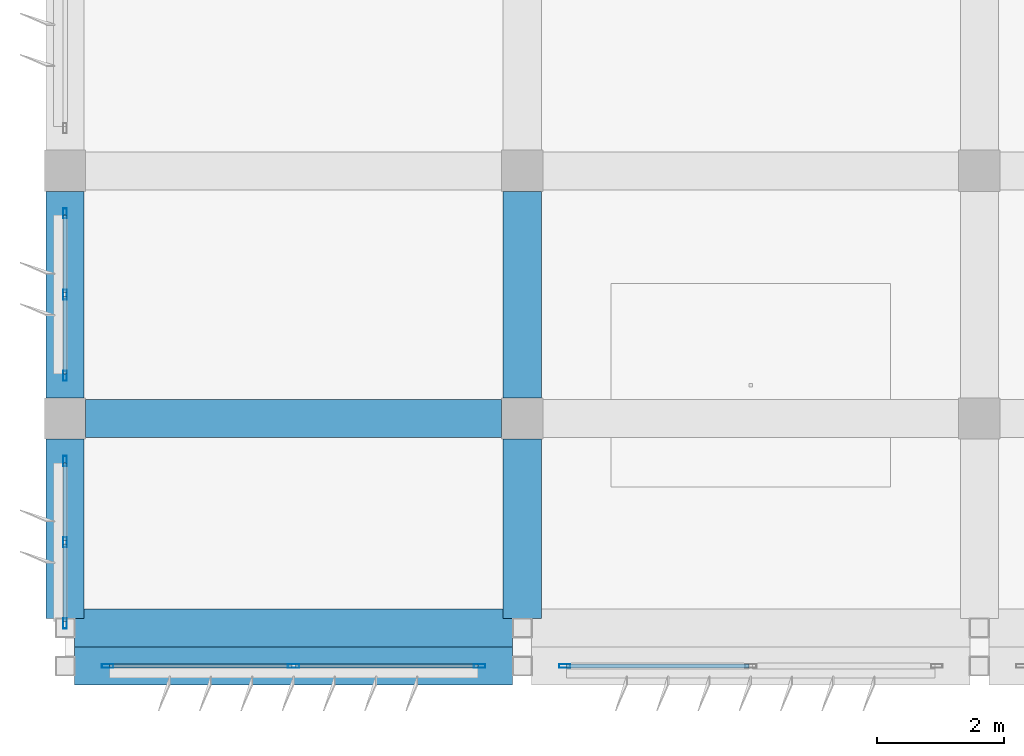
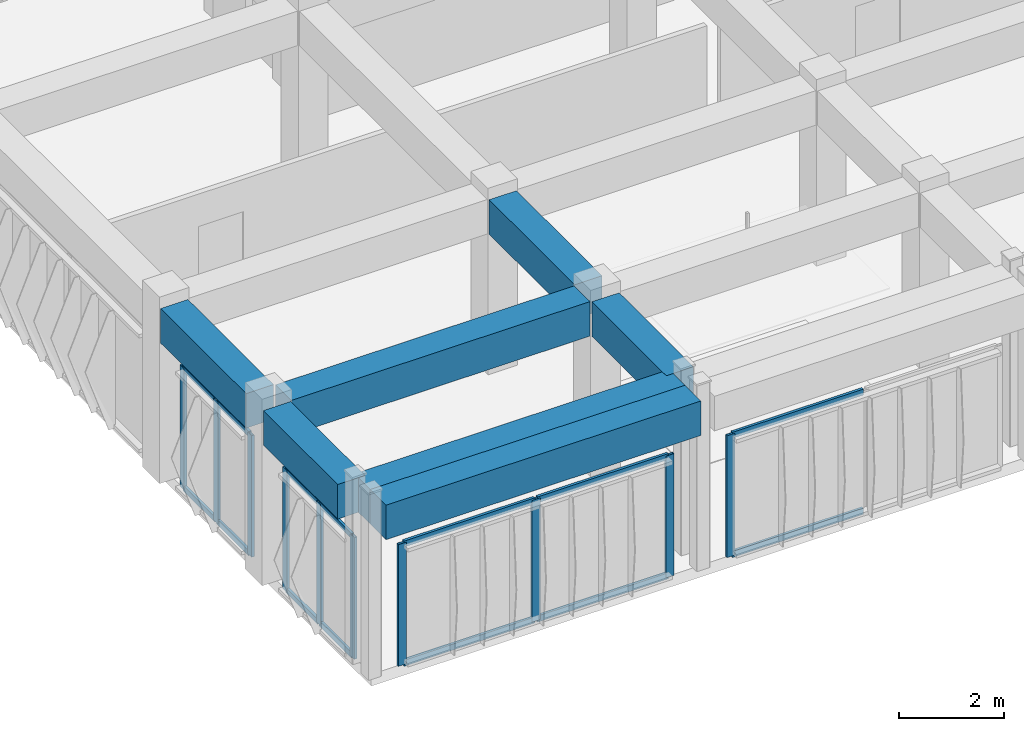
# One storey, part 3 of 42: 24 members, 7 beams, 4 elements without a shape of their own.
"""IFC4 building model written with IfcOpenShell, lengths in metres."""

from ifc_helpers import new_model, si_unit, direction, frame, origin, origin_2d, place, context, subcontext, project, spatial, rectangle, hollow_rectangle, extrude, material, material_profile, profile_set, type_object, element, aggregate, save


model = new_model("IFC4")

# Units and contexts
model_context = context("Model", 3, precision=1e-05, world=origin(), true_north=direction((0.0, 1.0)))
body_context = subcontext(model_context, "Body", "Model", "MODEL_VIEW")
ifc_project = project(units=[si_unit("LENGTHUNIT", "METRE"), si_unit("AREAUNIT", "SQUARE_METRE"), si_unit("VOLUMEUNIT", "CUBIC_METRE"), si_unit("PLANEANGLEUNIT", "RADIAN"), si_unit("MASSUNIT", "GRAM", prefix="KILO")], contexts=[model_context])

# Site, building, storey
site_placement = place(None, origin())
site = spatial("IfcSite", under=ifc_project, at=site_placement, CompositionType="ELEMENT")
building_placement = place(site_placement, origin())
building = spatial("IfcBuilding", under=site, at=building_placement, Name="Kazehaya Institute of Natural Sciences", CompositionType="ELEMENT")
storey_placement = place(building_placement, frame((0.0, 0.0, 37.6201171875)))
storey = spatial("IfcBuildingStorey", under=building, at=storey_placement, Name="L08", CompositionType="ELEMENT", Elevation=37.6201171875)

# Beams
ifc_material_1 = material(Name="Concrete Fc36", Category="concrete")
ifc_material_profile_1 = material_profile(ifc_material_1, rectangle(XDim=0.60009765625, YDim=0.800048828125, at=origin_2d()), Name="RC-600x800")
ifc_profile_set_1 = profile_set([ifc_material_profile_1], Name="Concrete Fc36")
beam_type = type_object("IfcBeamType", Name="BM-G-600x800", PredefinedType="BEAM", material=ifc_profile_set_1)
for number, where, z_axis, x_axis, name in (
    (1, (54.75, 6.199951171875, 3.64990234375), (1.0, 0.0, 0.0), (0.0, 1.0, 0.0), "L08 primary X girder BMX-L08-546-62"),
    (2, (54.75, 6.800048828125, 3.64990234375), (1.0, 0.0, 0.0), (0.0, 1.0, 0.0), "L08 primary X girder BMX-L08-546-68"),
):
    element("IfcBeam", number, at=place(storey_placement, frame(where, z_axis=z_axis, x_axis=x_axis)), inside=storey, type_object=beam_type, Name=name, PredefinedType="BEAM", context=body_context, shape_type="SweptSolid", body=[
        extrude(rectangle(XDim=0.60009765625, YDim=0.800048828125, at=origin_2d()), origin(), (0.0, 0.0, 1.0), 6.89990234375),
    ])
beam_1_placement = place(storey_placement, frame((54.925048828125, 10.10009765625, 3.64990234375), z_axis=(1.0, 0.0, 0.0), x_axis=(0.0, 1.0, 0.0)))
element("IfcBeam", 3, at=beam_1_placement, inside=storey, type_object=beam_type, Name="L08 primary X girder BMX-L08-546-101", PredefinedType="BEAM", context=body_context, shape_type="SweptSolid", body=[
    extrude(rectangle(XDim=0.60009765625, YDim=0.800048828125, at=origin_2d()), origin(), (0.0, 0.0, 1.0), 6.550048828125),
])
beam_2_placement = place(storey_placement, frame((54.60009765625, 6.949951171875, 3.64990234375), z_axis=(0.0, 1.0, 0.0), x_axis=(-1.0, 0.0, 0.0)))
element("IfcBeam", 4, at=beam_2_placement, inside=storey, type_object=beam_type, Name="L08 primary Y girder BMY-L08-546-68", PredefinedType="BEAM", context=body_context, shape_type="SweptSolid", body=[
    extrude(rectangle(XDim=0.60009765625, YDim=0.800048828125, at=origin_2d()), origin(), (0.0, 0.0, 1.0), 2.824951171875),
])
beam_3_placement = place(storey_placement, frame((54.60009765625, 10.425048828125, 3.64990234375), z_axis=(0.0, 1.0, 0.0), x_axis=(-1.0, 0.0, 0.0)))
element("IfcBeam", 5, at=beam_3_placement, inside=storey, type_object=beam_type, Name="L08 primary Y girder BMY-L08-546-101", PredefinedType="BEAM", context=body_context, shape_type="SweptSolid", body=[
    extrude(rectangle(XDim=0.60009765625, YDim=0.800048828125, at=origin_2d()), origin(), (0.0, 0.0, 1.0), 3.25),
])
beam_4_placement = place(storey_placement, frame((61.800048828125, 6.949951171875, 3.64990234375), z_axis=(0.0, 1.0, 0.0), x_axis=(-1.0, 0.0, 0.0)))
element("IfcBeam", 6, at=beam_4_placement, inside=storey, type_object=beam_type, Name="L08 primary Y girder BMY-L08-618-68", PredefinedType="BEAM", context=body_context, shape_type="SweptSolid", body=[
    extrude(rectangle(XDim=0.60009765625, YDim=0.800048828125, at=origin_2d()), origin(), (0.0, 0.0, 1.0), 2.824951171875),
])
beam_5_placement = place(storey_placement, frame((61.800048828125, 10.425048828125, 3.64990234375), z_axis=(0.0, 1.0, 0.0), x_axis=(-1.0, 0.0, 0.0)))
element("IfcBeam", 7, at=beam_5_placement, inside=storey, type_object=beam_type, Name="L08 primary Y girder BMY-L08-618-101", PredefinedType="BEAM", context=body_context, shape_type="SweptSolid", body=[
    extrude(rectangle(XDim=0.60009765625, YDim=0.800048828125, at=origin_2d()), origin(), (0.0, 0.0, 1.0), 3.25),
])

# Curtain wall, members
ifc_material_2 = material(Name="Aluminium alloy A6063S-T5", Category="aluminium")
curtain_wall_type_1 = type_object("IfcCurtainWallType", Name="CW-SYS-09", PredefinedType="NOTDEFINED", material=ifc_material_2)
curtain_wall_1_placement = place(storey_placement, origin())
curtain_wall_1 = element("IfcCurtainWall", 8, at=curtain_wall_1_placement, inside=storey, type_object=curtain_wall_type_1, Name="L08 unitised curtain wall CW-L08-193", PredefinedType="NOTDEFINED")
ifc_material_profile_2 = material_profile(ifc_material_2, hollow_rectangle(XDim=0.06005859375, YDim=0.159912109375, WallThickness=0.00390625, at=origin_2d()), Name="ALU-60x160x4")
ifc_profile_set_2 = profile_set([ifc_material_profile_2], Name="Aluminium alloy A6063S-T5")
member_type_1 = type_object("IfcMemberType", Name="CWM-160", PredefinedType="MULLION", material=ifc_profile_set_2)
member_1_placement = place(storey_placement, frame((54.60009765625, 6.8701171875, 0.0), z_axis=(0.0, 0.0, 1.0), x_axis=(-1.0, 0.0, 0.0)))
member_1 = element("IfcMember", 9, at=member_1_placement, type_object=member_type_1, Name="CW09 mullion 1", PredefinedType="MULLION", context=body_context, shape_type="SweptSolid", body=[
    extrude(hollow_rectangle(XDim=0.06005859375, YDim=0.159912109375, WallThickness=0.00390625, at=origin_2d()), origin(), (0.0, 0.0, 1.0), 2.81982421875),
])
member_2_placement = place(storey_placement, frame((54.60009765625, 8.14990234375, 0.0), z_axis=(0.0, 0.0, 1.0), x_axis=(-1.0, 0.0, 0.0)))
member_2 = element("IfcMember", 10, at=member_2_placement, type_object=member_type_1, Name="CW09 mullion 2", PredefinedType="MULLION", context=body_context, shape_type="SweptSolid", body=[
    extrude(hollow_rectangle(XDim=0.06005859375, YDim=0.159912109375, WallThickness=0.00390625, at=origin_2d()), origin(), (0.0, 0.0, 1.0), 2.81982421875),
])
member_3_placement = place(storey_placement, frame((54.60009765625, 9.429931640625, 0.0), z_axis=(0.0, 0.0, 1.0), x_axis=(-1.0, 0.0, 0.0)))
member_3 = element("IfcMember", 11, at=member_3_placement, type_object=member_type_1, Name="CW09 mullion 3", PredefinedType="MULLION", context=body_context, shape_type="SweptSolid", body=[
    extrude(hollow_rectangle(XDim=0.06005859375, YDim=0.159912109375, WallThickness=0.00390625, at=origin_2d()), origin(), (0.0, 0.0, 1.0), 2.81982421875),
])

curtain_wall_2_placement = place(storey_placement, origin())
curtain_wall_2 = element("IfcCurtainWall", 12, at=curtain_wall_2_placement, inside=storey, type_object=curtain_wall_type_1, Name="L08 unitised curtain wall CW-L08-195", PredefinedType="NOTDEFINED")
member_4_placement = place(storey_placement, frame((54.60009765625, 10.77001953125, 0.0), z_axis=(0.0, 0.0, 1.0), x_axis=(-1.0, 0.0, 0.0)))
member_4 = element("IfcMember", 13, at=member_4_placement, type_object=member_type_1, Name="CW09 mullion 1", PredefinedType="MULLION", context=body_context, shape_type="SweptSolid", body=[
    extrude(hollow_rectangle(XDim=0.06005859375, YDim=0.159912109375, WallThickness=0.00390625, at=origin_2d()), origin(), (0.0, 0.0, 1.0), 2.81982421875),
])
member_5_placement = place(storey_placement, frame((54.60009765625, 12.050048828125, 0.0), z_axis=(0.0, 0.0, 1.0), x_axis=(-1.0, 0.0, 0.0)))
member_5 = element("IfcMember", 14, at=member_5_placement, type_object=member_type_1, Name="CW09 mullion 2", PredefinedType="MULLION", context=body_context, shape_type="SweptSolid", body=[
    extrude(hollow_rectangle(XDim=0.06005859375, YDim=0.159912109375, WallThickness=0.00390625, at=origin_2d()), origin(), (0.0, 0.0, 1.0), 2.81982421875),
])
member_6_placement = place(storey_placement, frame((54.60009765625, 13.330078125, 0.0), z_axis=(0.0, 0.0, 1.0), x_axis=(-1.0, 0.0, 0.0)))
member_6 = element("IfcMember", 15, at=member_6_placement, type_object=member_type_1, Name="CW09 mullion 3", PredefinedType="MULLION", context=body_context, shape_type="SweptSolid", body=[
    extrude(hollow_rectangle(XDim=0.06005859375, YDim=0.159912109375, WallThickness=0.00390625, at=origin_2d()), origin(), (0.0, 0.0, 1.0), 2.81982421875),
])

# Curtain wall, member
curtain_wall_type_2 = type_object("IfcCurtainWallType", Name="CW-SYS-05", PredefinedType="NOTDEFINED", material=ifc_material_2)
curtain_wall_3_placement = place(storey_placement, origin())
curtain_wall_3 = element("IfcCurtainWall", 16, at=curtain_wall_3_placement, inside=storey, type_object=curtain_wall_type_2, Name="L08 unitised curtain wall CW-L08-183", PredefinedType="NOTDEFINED")
ifc_material_profile_3 = material_profile(ifc_material_2, hollow_rectangle(XDim=0.06005859375, YDim=0.179931640625, WallThickness=0.00390625, at=origin_2d()), Name="ALU-60x180x4")
ifc_profile_set_3 = profile_set([ifc_material_profile_3], Name="Aluminium alloy A6063S-T5")
member_type_2 = type_object("IfcMemberType", Name="CWM-180", PredefinedType="MULLION", material=ifc_profile_set_3)
member_7_placement = place(storey_placement, frame((62.469970703125, 6.199951171875, 0.0), z_axis=(0.0, 0.0, 1.0), x_axis=(0.0, -1.0, 0.0)))
member_7 = element("IfcMember", 17, at=member_7_placement, type_object=member_type_2, Name="CW05 mullion 3", PredefinedType="MULLION", context=body_context, shape_type="SweptSolid", body=[
    extrude(hollow_rectangle(XDim=0.06005859375, YDim=0.179931640625, WallThickness=0.00390625, at=origin_2d()), origin(), (0.0, 0.0, 1.0), 2.81982421875),
])

# Curtain wall, members
curtain_wall_4_placement = place(storey_placement, origin())
curtain_wall_4 = element("IfcCurtainWall", 18, at=curtain_wall_4_placement, inside=storey, type_object=curtain_wall_type_2, Name="L08 unitised curtain wall CW-L08-184", PredefinedType="NOTDEFINED")
member_8_placement = place(storey_placement, frame((61.1298828125, 6.199951171875, 0.0), z_axis=(0.0, 0.0, 1.0), x_axis=(0.0, -1.0, 0.0)))
member_8 = element("IfcMember", 19, at=member_8_placement, type_object=member_type_2, Name="CW05 mullion 1", PredefinedType="MULLION", context=body_context, shape_type="SweptSolid", body=[
    extrude(hollow_rectangle(XDim=0.06005859375, YDim=0.179931640625, WallThickness=0.00390625, at=origin_2d()), origin(), (0.0, 0.0, 1.0), 2.81982421875),
])
member_9_placement = place(storey_placement, frame((58.199951171875, 6.199951171875, 0.0), z_axis=(0.0, 0.0, 1.0), x_axis=(0.0, -1.0, 0.0)))
member_9 = element("IfcMember", 20, at=member_9_placement, type_object=member_type_2, Name="CW05 mullion 2", PredefinedType="MULLION", context=body_context, shape_type="SweptSolid", body=[
    extrude(hollow_rectangle(XDim=0.06005859375, YDim=0.179931640625, WallThickness=0.00390625, at=origin_2d()), origin(), (0.0, 0.0, 1.0), 2.81982421875),
])
member_10_placement = place(storey_placement, frame((55.27001953125, 6.199951171875, 0.0), z_axis=(0.0, 0.0, 1.0), x_axis=(0.0, -1.0, 0.0)))
member_10 = element("IfcMember", 21, at=member_10_placement, type_object=member_type_2, Name="CW05 mullion 3", PredefinedType="MULLION", context=body_context, shape_type="SweptSolid", body=[
    extrude(hollow_rectangle(XDim=0.06005859375, YDim=0.179931640625, WallThickness=0.00390625, at=origin_2d()), origin(), (0.0, 0.0, 1.0), 2.81982421875),
])

# Member
ifc_material_profile_4 = material_profile(ifc_material_2, hollow_rectangle(XDim=0.06005859375, YDim=0.1201171875, WallThickness=0.00341796875, at=origin_2d()), Name="ALU-60x120x3.5")
ifc_profile_set_4 = profile_set([ifc_material_profile_4], Name="Aluminium alloy A6063S-T5")
member_type_3 = type_object("IfcMemberType", Name="CWT-120", PredefinedType="USERDEFINED", material=ifc_profile_set_4)
member_11_placement = place(storey_placement, frame((54.60009765625, 6.89990234375, 0.02978515625), z_axis=(0.0, 1.0, 0.0), x_axis=(-1.0, 0.0, 0.0)))
member_11 = element("IfcMember", 22, at=member_11_placement, type_object=member_type_3, Name="CW09 transom 1.1", ObjectType="TRANSOM", PredefinedType="USERDEFINED", context=body_context, shape_type="SweptSolid", body=[
    extrude(hollow_rectangle(XDim=0.06005859375, YDim=0.1201171875, WallThickness=0.00341796875, at=origin_2d()), origin(), (0.0, 0.0, 1.0), 1.22021484375),
])

member_12_placement = place(storey_placement, frame((54.60009765625, 6.89990234375, 2.789794921875), z_axis=(0.0, 1.0, 0.0), x_axis=(-1.0, 0.0, 0.0)))
member_12 = element("IfcMember", 23, at=member_12_placement, type_object=member_type_3, Name="CW09 transom 1.2", ObjectType="TRANSOM", PredefinedType="USERDEFINED", context=body_context, shape_type="SweptSolid", body=[
    extrude(hollow_rectangle(XDim=0.06005859375, YDim=0.1201171875, WallThickness=0.00341796875, at=origin_2d()), origin(), (0.0, 0.0, 1.0), 1.22021484375),
])

member_13_placement = place(storey_placement, frame((54.60009765625, 8.179931640625, 0.02978515625), z_axis=(0.0, 1.0, 0.0), x_axis=(-1.0, 0.0, 0.0)))
member_13 = element("IfcMember", 24, at=member_13_placement, type_object=member_type_3, Name="CW09 transom 2.1", ObjectType="TRANSOM", PredefinedType="USERDEFINED", context=body_context, shape_type="SweptSolid", body=[
    extrude(hollow_rectangle(XDim=0.06005859375, YDim=0.1201171875, WallThickness=0.00341796875, at=origin_2d()), origin(), (0.0, 0.0, 1.0), 1.219970703125),
])

member_14_placement = place(storey_placement, frame((54.60009765625, 8.179931640625, 2.789794921875), z_axis=(0.0, 1.0, 0.0), x_axis=(-1.0, 0.0, 0.0)))
member_14 = element("IfcMember", 25, at=member_14_placement, type_object=member_type_3, Name="CW09 transom 2.2", ObjectType="TRANSOM", PredefinedType="USERDEFINED", context=body_context, shape_type="SweptSolid", body=[
    extrude(hollow_rectangle(XDim=0.06005859375, YDim=0.1201171875, WallThickness=0.00341796875, at=origin_2d()), origin(), (0.0, 0.0, 1.0), 1.219970703125),
])

aggregate(curtain_wall_1, [member_1, member_2, member_3, member_11, member_12, member_13, member_14])

member_15_placement = place(storey_placement, frame((54.60009765625, 10.800048828125, 0.02978515625), z_axis=(0.0, 1.0, 0.0), x_axis=(-1.0, 0.0, 0.0)))
member_15 = element("IfcMember", 26, at=member_15_placement, type_object=member_type_3, Name="CW09 transom 1.1", ObjectType="TRANSOM", PredefinedType="USERDEFINED", context=body_context, shape_type="SweptSolid", body=[
    extrude(hollow_rectangle(XDim=0.06005859375, YDim=0.1201171875, WallThickness=0.00341796875, at=origin_2d()), origin(), (0.0, 0.0, 1.0), 1.219970703125),
])

member_16_placement = place(storey_placement, frame((54.60009765625, 10.800048828125, 2.789794921875), z_axis=(0.0, 1.0, 0.0), x_axis=(-1.0, 0.0, 0.0)))
member_16 = element("IfcMember", 27, at=member_16_placement, type_object=member_type_3, Name="CW09 transom 1.2", ObjectType="TRANSOM", PredefinedType="USERDEFINED", context=body_context, shape_type="SweptSolid", body=[
    extrude(hollow_rectangle(XDim=0.06005859375, YDim=0.1201171875, WallThickness=0.00341796875, at=origin_2d()), origin(), (0.0, 0.0, 1.0), 1.219970703125),
])

member_17_placement = place(storey_placement, frame((54.60009765625, 12.080078125, 0.02978515625), z_axis=(0.0, 1.0, 0.0), x_axis=(-1.0, 0.0, 0.0)))
member_17 = element("IfcMember", 28, at=member_17_placement, type_object=member_type_3, Name="CW09 transom 2.1", ObjectType="TRANSOM", PredefinedType="USERDEFINED", context=body_context, shape_type="SweptSolid", body=[
    extrude(hollow_rectangle(XDim=0.06005859375, YDim=0.1201171875, WallThickness=0.00341796875, at=origin_2d()), origin(), (0.0, 0.0, 1.0), 1.219970703125),
])

member_18_placement = place(storey_placement, frame((54.60009765625, 12.080078125, 2.789794921875), z_axis=(0.0, 1.0, 0.0), x_axis=(-1.0, 0.0, 0.0)))
member_18 = element("IfcMember", 29, at=member_18_placement, type_object=member_type_3, Name="CW09 transom 2.2", ObjectType="TRANSOM", PredefinedType="USERDEFINED", context=body_context, shape_type="SweptSolid", body=[
    extrude(hollow_rectangle(XDim=0.06005859375, YDim=0.1201171875, WallThickness=0.00341796875, at=origin_2d()), origin(), (0.0, 0.0, 1.0), 1.219970703125),
])

aggregate(curtain_wall_2, [member_4, member_5, member_6, member_15, member_16, member_17, member_18])

ifc_material_profile_5 = material_profile(ifc_material_2, hollow_rectangle(XDim=0.06005859375, YDim=0.139892578125, WallThickness=0.00341796875, at=origin_2d()), Name="ALU-60x140x3.5")
ifc_profile_set_5 = profile_set([ifc_material_profile_5], Name="Aluminium alloy A6063S-T5")
member_type_4 = type_object("IfcMemberType", Name="CWT-140", PredefinedType="USERDEFINED", material=ifc_profile_set_5)
member_19_placement = place(storey_placement, frame((65.3701171875, 6.199951171875, 0.02978515625), z_axis=(-1.0, 0.0, 0.0), x_axis=(0.0, -1.0, 0.0)))
member_19 = element("IfcMember", 30, at=member_19_placement, type_object=member_type_4, Name="CW05 transom 2.1", ObjectType="TRANSOM", PredefinedType="USERDEFINED", context=body_context, shape_type="SweptSolid", body=[
    extrude(hollow_rectangle(XDim=0.06005859375, YDim=0.139892578125, WallThickness=0.00341796875, at=origin_2d()), origin(), (0.0, 0.0, 1.0), 2.8701171875),
])

member_20_placement = place(storey_placement, frame((65.3701171875, 6.199951171875, 2.789794921875), z_axis=(-1.0, 0.0, 0.0), x_axis=(0.0, -1.0, 0.0)))
member_20 = element("IfcMember", 31, at=member_20_placement, type_object=member_type_4, Name="CW05 transom 2.2", ObjectType="TRANSOM", PredefinedType="USERDEFINED", context=body_context, shape_type="SweptSolid", body=[
    extrude(hollow_rectangle(XDim=0.06005859375, YDim=0.139892578125, WallThickness=0.00341796875, at=origin_2d()), origin(), (0.0, 0.0, 1.0), 2.8701171875),
])

aggregate(curtain_wall_3, [member_7, member_19, member_20])

member_21_placement = place(storey_placement, frame((61.10009765625, 6.199951171875, 0.02978515625), z_axis=(-1.0, 0.0, 0.0), x_axis=(0.0, -1.0, 0.0)))
member_21 = element("IfcMember", 32, at=member_21_placement, type_object=member_type_4, Name="CW05 transom 1.1", ObjectType="TRANSOM", PredefinedType="USERDEFINED", context=body_context, shape_type="SweptSolid", body=[
    extrude(hollow_rectangle(XDim=0.06005859375, YDim=0.139892578125, WallThickness=0.00341796875, at=origin_2d()), origin(), (0.0, 0.0, 1.0), 2.8701171875),
])

member_22_placement = place(storey_placement, frame((61.10009765625, 6.199951171875, 2.789794921875), z_axis=(-1.0, 0.0, 0.0), x_axis=(0.0, -1.0, 0.0)))
member_22 = element("IfcMember", 33, at=member_22_placement, type_object=member_type_4, Name="CW05 transom 1.2", ObjectType="TRANSOM", PredefinedType="USERDEFINED", context=body_context, shape_type="SweptSolid", body=[
    extrude(hollow_rectangle(XDim=0.06005859375, YDim=0.139892578125, WallThickness=0.00341796875, at=origin_2d()), origin(), (0.0, 0.0, 1.0), 2.8701171875),
])

member_23_placement = place(storey_placement, frame((58.169921875, 6.199951171875, 0.02978515625), z_axis=(-1.0, 0.0, 0.0), x_axis=(0.0, -1.0, 0.0)))
member_23 = element("IfcMember", 34, at=member_23_placement, type_object=member_type_4, Name="CW05 transom 2.1", ObjectType="TRANSOM", PredefinedType="USERDEFINED", context=body_context, shape_type="SweptSolid", body=[
    extrude(hollow_rectangle(XDim=0.06005859375, YDim=0.139892578125, WallThickness=0.00341796875, at=origin_2d()), origin(), (0.0, 0.0, 1.0), 2.869873046875),
])

member_24_placement = place(storey_placement, frame((58.169921875, 6.199951171875, 2.789794921875), z_axis=(-1.0, 0.0, 0.0), x_axis=(0.0, -1.0, 0.0)))
member_24 = element("IfcMember", 35, at=member_24_placement, type_object=member_type_4, Name="CW05 transom 2.2", ObjectType="TRANSOM", PredefinedType="USERDEFINED", context=body_context, shape_type="SweptSolid", body=[
    extrude(hollow_rectangle(XDim=0.06005859375, YDim=0.139892578125, WallThickness=0.00341796875, at=origin_2d()), origin(), (0.0, 0.0, 1.0), 2.869873046875),
])

aggregate(curtain_wall_4, [member_8, member_9, member_10, member_21, member_22, member_23, member_24])

save(model, "model.ifc")
